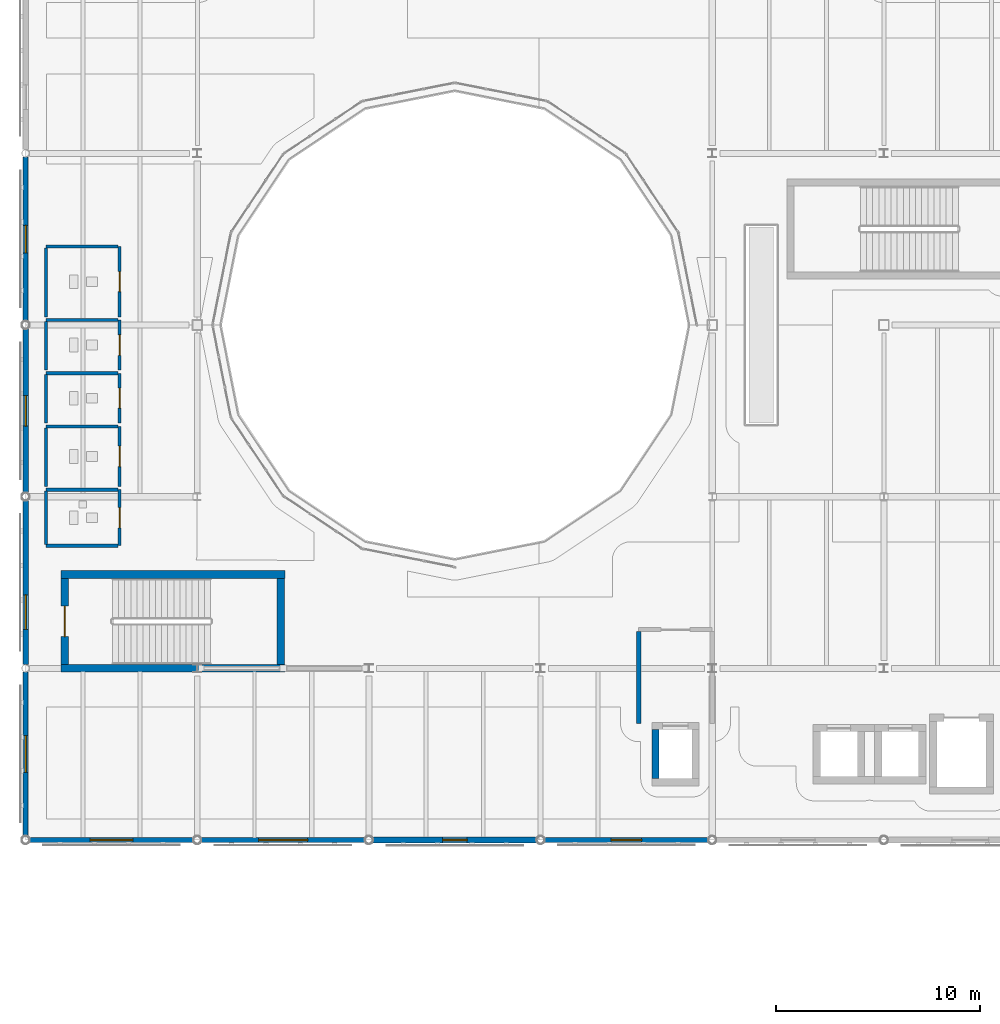
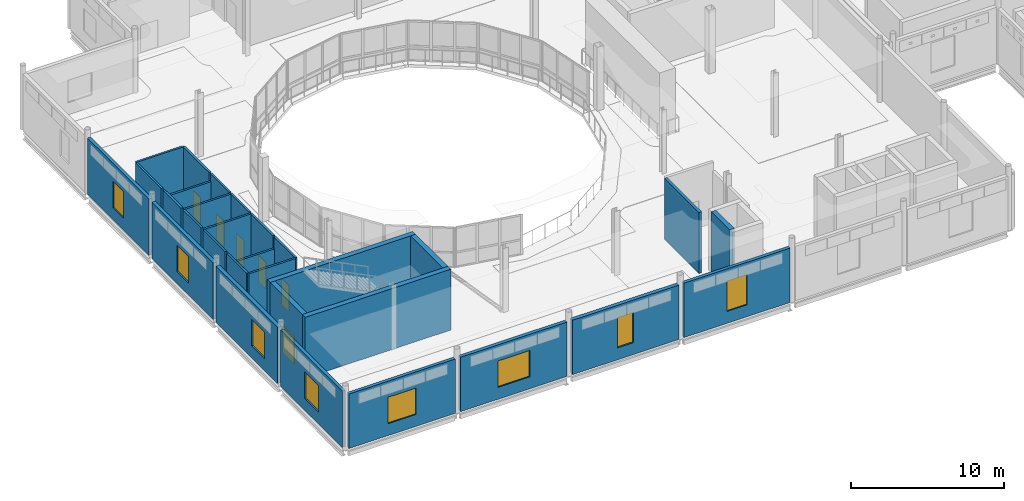
# One storey, part 65 of 104: 30 walls, 8 windows, 6 doors, 14 openings.
"""IFC4 building model written with IfcOpenShell, lengths in metres."""

from ifc_helpers import new_model, si_unit, direction, frame, frame_2d, origin, place, context, subcontext, project, spatial, rectangle, extrude, material, layer, layer_set, type_object, element, fill, save


model = new_model("IFC4")

# Units and contexts
model_context = context("Model", 3, precision=1e-05, world=origin(), true_north=direction((0.0, 1.0)))
body_context = subcontext(model_context, "Body", "Model", "MODEL_VIEW")
ifc_project = project(units=[si_unit("LENGTHUNIT", "METRE"), si_unit("AREAUNIT", "SQUARE_METRE"), si_unit("VOLUMEUNIT", "CUBIC_METRE"), si_unit("PLANEANGLEUNIT", "RADIAN"), si_unit("MASSUNIT", "GRAM", prefix="KILO"), si_unit("THERMODYNAMICTEMPERATUREUNIT", "KELVIN")], contexts=[model_context])

# Site, building, storey
site_placement = place(None, origin())
site = spatial("IfcSite", under=ifc_project, at=site_placement, CompositionType="ELEMENT")
building_placement = place(site_placement, origin())
building = spatial("IfcBuilding", under=site, at=building_placement, Name="Lustrewick Department Store", CompositionType="ELEMENT")
storey_placement = place(building_placement, frame((0.0, 0.0, 11.39990234375)))
storey = spatial("IfcBuildingStorey", under=building, at=storey_placement, Name="L03", CompositionType="ELEMENT", Elevation=11.39990234375)

# Wall, opening, window
ifc_material_1 = material(Name="Precast concrete C40", Category="concrete")
ifc_layer_1 = layer(ifc_material_1, 0.239990234375, Name="Precast concrete C40")
ifc_layer_set_1 = layer_set([ifc_layer_1], Name="Precast concrete C40")
wall_type_1 = type_object("IfcWallType", Name="EW01", PredefinedType="STANDARD", material=ifc_layer_set_1)
wall_1_placement = place(storey_placement, frame((8.39990234375, 75.41650390625, 0.0), z_axis=(0.0, 0.0, 1.0), x_axis=(0.0, -1.0, 0.0)))
wall_1 = element("IfcWall", 1, at=wall_1_placement, inside=storey, type_object=wall_type_1, Name="L03 V1 Exterior Wall EW01", PredefinedType="STANDARD", context=body_context, shape_type="SweptSolid", body=[
    extrude(rectangle(XDim=8.0185546875, YDim=0.239990234375, at=frame_2d((4.00927734375, 0.0))), origin(), (0.0, 0.0, 1.0), 4.487060546875),
])
opening_1_placement = place(wall_1_placement, frame((3.334228515625, 0.0, 0.949951171875)))
opening_1 = element("IfcOpeningElement", 2, at=opening_1_placement, cuts=wall_1, Name="Opening WN07", PredefinedType="OPENING", context=body_context, shape_type="SweptSolid", body=[
    extrude(rectangle(XDim=1.35009765625, YDim=2.10009765625, at=frame_2d((0.675048828125, 1.050048828125))), frame((0.0, 0.1298828125, 0.0), z_axis=(0.0, -1.0, 0.0), x_axis=(1.0, 0.0, 0.0)), (0.0, 0.0, 1.0), 0.260009765625),
])
ifc_material_2 = material(Name="Thermally broken Low-E triple-glazed window", Category="glass")
window_type_1 = type_object("IfcWindowType", Name="WN07", PartitioningType="DOUBLE_PANEL_VERTICAL", PredefinedType="WINDOW", material=ifc_material_2)
window_1_placement = place(opening_1_placement, origin())
window_1 = element("IfcWindow", 3, at=window_1_placement, inside=storey, type_object=window_type_1, Name="L03 Art Nouveau Window WN07", OverallHeight=2.10009765625, OverallWidth=1.35009765625, PartitioningType="SINGLE_PANEL", PredefinedType="WINDOW", context=body_context, shape_type="SweptSolid", body=[
    extrude(rectangle(XDim=1.35009765625, YDim=2.10009765625, at=frame_2d((0.675048828125, 1.050048828125))), frame((0.0, 0.030029296875, 0.0), z_axis=(0.0, -1.0, 0.0), x_axis=(1.0, 0.0, 0.0)), (0.0, 0.0, 1.0), 0.06005859375),
])
fill(opening_1, window_1)

wall_2_placement = place(storey_placement, frame((8.39990234375, 50.216552734375, 0.0), z_axis=(0.0, 0.0, 1.0), x_axis=(0.0, -1.0, 0.0)))
wall_2 = element("IfcWall", 4, at=wall_2_placement, inside=storey, type_object=wall_type_1, Name="L03 V1 Exterior Wall EW01", PredefinedType="STANDARD", context=body_context, shape_type="SweptSolid", body=[
    extrude(rectangle(XDim=8.0185546875, YDim=0.239990234375, at=frame_2d((4.00927734375, 0.0))), origin(), (0.0, 0.0, 1.0), 4.487060546875),
])
opening_2_placement = place(wall_2_placement, frame((3.109375, 0.0, 0.949951171875)))
opening_2 = element("IfcOpeningElement", 5, at=opening_2_placement, cuts=wall_2, Name="Opening WN10", PredefinedType="OPENING", context=body_context, shape_type="SweptSolid", body=[
    extrude(rectangle(XDim=1.800048828125, YDim=2.10009765625, at=frame_2d((0.89990234375, 1.050048828125))), frame((0.0, 0.1298828125, 0.0), z_axis=(0.0, -1.0, 0.0), x_axis=(1.0, 0.0, 0.0)), (0.0, 0.0, 1.0), 0.260009765625),
])
window_type_2 = type_object("IfcWindowType", Name="WN10", PartitioningType="DOUBLE_PANEL_VERTICAL", PredefinedType="WINDOW", material=ifc_material_2)
window_2_placement = place(opening_2_placement, origin())
window_2 = element("IfcWindow", 6, at=window_2_placement, inside=storey, type_object=window_type_2, Name="L03 Art Nouveau Window WN10", OverallHeight=2.10009765625, OverallWidth=1.800048828125, PartitioningType="SINGLE_PANEL", PredefinedType="WINDOW", context=body_context, shape_type="SweptSolid", body=[
    extrude(rectangle(XDim=1.800048828125, YDim=2.10009765625, at=frame_2d((0.89990234375, 1.050048828125))), frame((0.0, 0.030029296875, 0.0), z_axis=(0.0, -1.0, 0.0), x_axis=(1.0, 0.0, 0.0)), (0.0, 0.0, 1.0), 0.06005859375),
])
fill(opening_2, window_2)

wall_3_placement = place(storey_placement, frame((8.597900390625, 42.0, 0.0), z_axis=(0.0, 0.0, 1.0), x_axis=(1.0, 0.0, 0.0)))
wall_3 = element("IfcWall", 7, at=wall_3_placement, inside=storey, type_object=wall_type_1, Name="L03 V1 Exterior Wall EW01", PredefinedType="STANDARD", context=body_context, shape_type="SweptSolid", body=[
    extrude(rectangle(XDim=8.004150390625, YDim=0.239990234375, at=frame_2d((4.001953125, 0.0))), origin(), (0.0, 0.0, 1.0), 4.3310546875),
])
opening_3_placement = place(wall_3_placement, frame((2.951904296875, 0.0, 0.949951171875)))
opening_3 = element("IfcOpeningElement", 8, at=opening_3_placement, cuts=wall_3, Name="Opening WN11", PredefinedType="OPENING", context=body_context, shape_type="SweptSolid", body=[
    extrude(rectangle(XDim=2.10009765625, YDim=2.10009765625, at=frame_2d((1.050048828125, 1.050048828125))), frame((0.0, 0.1298828125, 0.0), z_axis=(0.0, -1.0, 0.0), x_axis=(1.0, 0.0, 0.0)), (0.0, 0.0, 1.0), 0.260009765625),
])
window_type_3 = type_object("IfcWindowType", Name="WN11", PartitioningType="DOUBLE_PANEL_VERTICAL", PredefinedType="WINDOW", material=ifc_material_2)
window_3_placement = place(opening_3_placement, origin())
window_3 = element("IfcWindow", 9, at=window_3_placement, inside=storey, type_object=window_type_3, Name="L03 Art Nouveau Window WN11", OverallHeight=2.10009765625, OverallWidth=2.10009765625, PartitioningType="SINGLE_PANEL", PredefinedType="WINDOW", context=body_context, shape_type="SweptSolid", body=[
    extrude(rectangle(XDim=2.10009765625, YDim=2.10009765625, at=frame_2d((1.050048828125, 1.050048828125))), frame((0.0, 0.030029296875, 0.0), z_axis=(0.0, -1.0, 0.0), x_axis=(1.0, 0.0, 0.0)), (0.0, 0.0, 1.0), 0.06005859375),
])
fill(opening_3, window_3)

wall_4_placement = place(storey_placement, frame((33.798095703125, 42.0, 0.0), z_axis=(0.0, 0.0, 1.0), x_axis=(1.0, 0.0, 0.0)))
wall_4 = element("IfcWall", 10, at=wall_4_placement, inside=storey, type_object=wall_type_1, Name="L03 V1 Exterior Wall EW01", PredefinedType="STANDARD", context=body_context, shape_type="SweptSolid", body=[
    extrude(rectangle(XDim=8.00390625, YDim=0.239990234375, at=frame_2d((4.001953125, 0.0))), origin(), (0.0, 0.0, 1.0), 4.3310546875),
])
opening_4_placement = place(wall_4_placement, frame((3.251953125, 0.0, 0.949951171875)))
opening_4 = element("IfcOpeningElement", 11, at=opening_4_placement, cuts=wall_4, Name="Opening WN14", PredefinedType="OPENING", context=body_context, shape_type="SweptSolid", body=[
    extrude(rectangle(XDim=1.5, YDim=2.39990234375, at=frame_2d((0.75, 1.199951171875))), frame((0.0, 0.1298828125, 0.0), z_axis=(0.0, -1.0, 0.0), x_axis=(1.0, 0.0, 0.0)), (0.0, 0.0, 1.0), 0.260009765625),
])
window_type_4 = type_object("IfcWindowType", Name="WN14", PartitioningType="DOUBLE_PANEL_VERTICAL", PredefinedType="WINDOW", material=ifc_material_2)
window_4_placement = place(opening_4_placement, origin())
window_4 = element("IfcWindow", 12, at=window_4_placement, inside=storey, type_object=window_type_4, Name="L03 Art Nouveau Window WN14", OverallHeight=2.39990234375, OverallWidth=1.5, PartitioningType="SINGLE_PANEL", PredefinedType="WINDOW", context=body_context, shape_type="SweptSolid", body=[
    extrude(rectangle(XDim=1.5, YDim=2.39990234375, at=frame_2d((0.75, 1.199951171875))), frame((0.0, 0.030029296875, 0.0), z_axis=(0.0, -1.0, 0.0), x_axis=(1.0, 0.0, 0.0)), (0.0, 0.0, 1.0), 0.06005859375),
])
fill(opening_4, window_4)

ifc_layer_2 = layer(ifc_material_1, 0.260009765625, Name="Precast concrete C40")
ifc_layer_set_2 = layer_set([ifc_layer_2], Name="Precast concrete C40")
wall_type_2 = type_object("IfcWallType", Name="EW02", PredefinedType="STANDARD", material=ifc_layer_set_2)
wall_5_placement = place(storey_placement, frame((8.39990234375, 67.001953125, 0.0), z_axis=(0.0, 0.0, 1.0), x_axis=(0.0, -1.0, 0.0)))
wall_5 = element("IfcWall", 13, at=wall_5_placement, inside=storey, type_object=wall_type_2, Name="L03 V1 Exterior Wall EW02", PredefinedType="STANDARD", context=body_context, shape_type="SweptSolid", body=[
    extrude(rectangle(XDim=8.00390625, YDim=0.260009765625, at=frame_2d((4.001953125, 0.0))), origin(), (0.0, 0.0, 1.0), 4.487060546875),
])
opening_5_placement = place(wall_5_placement, frame((3.251953125, 0.0, 0.949951171875)))
opening_5 = element("IfcOpeningElement", 14, at=opening_5_placement, cuts=wall_5, Name="Opening WN08", PredefinedType="OPENING", context=body_context, shape_type="SweptSolid", body=[
    extrude(rectangle(XDim=1.5, YDim=2.10009765625, at=frame_2d((0.75, 1.050048828125))), frame((0.0, 0.14013671875, 0.0), z_axis=(0.0, -1.0, 0.0), x_axis=(1.0, 0.0, 0.0)), (0.0, 0.0, 1.0), 0.280029296875),
])
window_type_5 = type_object("IfcWindowType", Name="WN08", PartitioningType="DOUBLE_PANEL_VERTICAL", PredefinedType="WINDOW", material=ifc_material_2)
window_5_placement = place(opening_5_placement, origin())
window_5 = element("IfcWindow", 15, at=window_5_placement, inside=storey, type_object=window_type_5, Name="L03 Art Nouveau Window WN08", OverallHeight=2.10009765625, OverallWidth=1.5, PartitioningType="SINGLE_PANEL", PredefinedType="WINDOW", context=body_context, shape_type="SweptSolid", body=[
    extrude(rectangle(XDim=1.5, YDim=2.10009765625, at=frame_2d((0.75, 1.050048828125))), frame((0.0, 0.030029296875, 0.0), z_axis=(0.0, -1.0, 0.0), x_axis=(1.0, 0.0, 0.0)), (0.0, 0.0, 1.0), 0.06005859375),
])
fill(opening_5, window_5)

wall_6_placement = place(storey_placement, frame((16.998046875, 42.0, 0.0), z_axis=(0.0, 0.0, 1.0), x_axis=(1.0, 0.0, 0.0)))
wall_6 = element("IfcWall", 16, at=wall_6_placement, inside=storey, type_object=wall_type_2, Name="L03 V1 Exterior Wall EW02", PredefinedType="STANDARD", context=body_context, shape_type="SweptSolid", body=[
    extrude(rectangle(XDim=8.00390625, YDim=0.260009765625, at=frame_2d((4.001953125, 0.0))), origin(), (0.0, 0.0, 1.0), 4.3310546875),
])
opening_6_placement = place(wall_6_placement, frame((2.802001953125, 0.0, 0.949951171875)))
opening_6 = element("IfcOpeningElement", 17, at=opening_6_placement, cuts=wall_6, Name="Opening WN12", PredefinedType="OPENING", context=body_context, shape_type="SweptSolid", body=[
    extrude(rectangle(XDim=2.39990234375, YDim=2.10009765625, at=frame_2d((1.199951171875, 1.050048828125))), frame((0.0, 0.14013671875, 0.0), z_axis=(0.0, -1.0, 0.0), x_axis=(1.0, 0.0, 0.0)), (0.0, 0.0, 1.0), 0.280029296875),
])
window_type_6 = type_object("IfcWindowType", Name="WN12", PartitioningType="DOUBLE_PANEL_VERTICAL", PredefinedType="WINDOW", material=ifc_material_2)
window_6_placement = place(opening_6_placement, origin())
window_6 = element("IfcWindow", 18, at=window_6_placement, inside=storey, type_object=window_type_6, Name="L03 Art Nouveau Window WN12", OverallHeight=2.10009765625, OverallWidth=2.39990234375, PartitioningType="SINGLE_PANEL", PredefinedType="WINDOW", context=body_context, shape_type="SweptSolid", body=[
    extrude(rectangle(XDim=2.39990234375, YDim=2.10009765625, at=frame_2d((1.199951171875, 1.050048828125))), frame((0.0, 0.030029296875, 0.0), z_axis=(0.0, -1.0, 0.0), x_axis=(1.0, 0.0, 0.0)), (0.0, 0.0, 1.0), 0.06005859375),
])
fill(opening_6, window_6)

ifc_layer_3 = layer(ifc_material_1, 0.280029296875, Name="Precast concrete C40")
ifc_layer_set_3 = layer_set([ifc_layer_3], Name="Precast concrete C40")
wall_type_3 = type_object("IfcWallType", Name="EW03", PredefinedType="STANDARD", material=ifc_layer_set_3)
wall_7_placement = place(storey_placement, frame((8.39990234375, 58.60205078125, 0.0), z_axis=(0.0, 0.0, 1.0), x_axis=(0.0, -1.0, 0.0)))
wall_7 = element("IfcWall", 19, at=wall_7_placement, inside=storey, type_object=wall_type_3, Name="L03 V1 Exterior Wall EW03", PredefinedType="STANDARD", context=body_context, shape_type="SweptSolid", body=[
    extrude(rectangle(XDim=8.0185546875, YDim=0.280029296875, at=frame_2d((4.00927734375, 0.0))), origin(), (0.0, 0.0, 1.0), 4.487060546875),
])
opening_7_placement = place(wall_7_placement, frame((4.612548828125, 0.0, 0.949951171875)))
opening_7 = element("IfcOpeningElement", 20, at=opening_7_placement, cuts=wall_7, Name="Opening WN09", PredefinedType="OPENING", context=body_context, shape_type="SweptSolid", body=[
    extrude(rectangle(XDim=1.679931640625, YDim=2.10009765625, at=frame_2d((0.83984375, 1.050048828125))), frame((0.0, 0.14990234375, 0.0), z_axis=(0.0, -1.0, 0.0), x_axis=(1.0, 0.0, 0.0)), (0.0, 0.0, 1.0), 0.300048828125),
])
window_type_7 = type_object("IfcWindowType", Name="WN09", PartitioningType="DOUBLE_PANEL_VERTICAL", PredefinedType="WINDOW", material=ifc_material_2)
window_7_placement = place(opening_7_placement, origin())
window_7 = element("IfcWindow", 21, at=window_7_placement, inside=storey, type_object=window_type_7, Name="L03 Art Nouveau Window WN09", OverallHeight=2.10009765625, OverallWidth=1.679931640625, PartitioningType="SINGLE_PANEL", PredefinedType="WINDOW", context=body_context, shape_type="SweptSolid", body=[
    extrude(rectangle(XDim=1.679931640625, YDim=2.10009765625, at=frame_2d((0.83984375, 1.050048828125))), frame((0.0, 0.030029296875, 0.0), z_axis=(0.0, -1.0, 0.0), x_axis=(1.0, 0.0, 0.0)), (0.0, 0.0, 1.0), 0.06005859375),
])
fill(opening_7, window_7)

wall_8_placement = place(storey_placement, frame((25.39794921875, 42.0, 0.0), z_axis=(0.0, 0.0, 1.0), x_axis=(1.0, 0.0, 0.0)))
wall_8 = element("IfcWall", 22, at=wall_8_placement, inside=storey, type_object=wall_type_3, Name="L03 V1 Exterior Wall EW03", PredefinedType="STANDARD", context=body_context, shape_type="SweptSolid", body=[
    extrude(rectangle(XDim=8.004150390625, YDim=0.280029296875, at=frame_2d((4.001953125, 0.0))), origin(), (0.0, 0.0, 1.0), 4.3310546875),
])
opening_8_placement = place(wall_8_placement, frame((3.402099609375, 0.0, 0.949951171875)))
opening_8 = element("IfcOpeningElement", 23, at=opening_8_placement, cuts=wall_8, Name="Opening WN13", PredefinedType="OPENING", context=body_context, shape_type="SweptSolid", body=[
    extrude(rectangle(XDim=1.199951171875, YDim=2.39990234375, at=frame_2d((0.60009765625, 1.199951171875))), frame((0.0, 0.14990234375, 0.0), z_axis=(0.0, -1.0, 0.0), x_axis=(1.0, 0.0, 0.0)), (0.0, 0.0, 1.0), 0.300048828125),
])
window_type_8 = type_object("IfcWindowType", Name="WN13", PartitioningType="DOUBLE_PANEL_VERTICAL", PredefinedType="WINDOW", material=ifc_material_2)
window_8_placement = place(opening_8_placement, origin())
window_8 = element("IfcWindow", 24, at=window_8_placement, inside=storey, type_object=window_type_8, Name="L03 Art Nouveau Window WN13", OverallHeight=2.39990234375, OverallWidth=1.199951171875, PartitioningType="SINGLE_PANEL", PredefinedType="WINDOW", context=body_context, shape_type="SweptSolid", body=[
    extrude(rectangle(XDim=1.199951171875, YDim=2.39990234375, at=frame_2d((0.60009765625, 1.199951171875))), frame((0.0, 0.030029296875, 0.0), z_axis=(0.0, -1.0, 0.0), x_axis=(1.0, 0.0, 0.0)), (0.0, 0.0, 1.0), 0.06005859375),
])
fill(opening_8, window_8)

# Wall
ifc_material_3 = material(Name="Autoclaved aerated concrete blockwork and fire board", Category="masonry")
ifc_layer_4 = layer(ifc_material_3, 0.205078125, Name="Autoclaved aerated concrete blockwork and fire board")
ifc_layer_set_4 = layer_set([ifc_layer_4], Name="Autoclaved aerated concrete blockwork and fire board")
wall_type_4 = type_object("IfcWallType", Name="PW02", PredefinedType="PARTITIONING", material=ifc_layer_set_4)
wall_9_placement = place(storey_placement, frame((38.39990234375, 52.202392578125, 0.0), z_axis=(0.0, 0.0, 1.0), x_axis=(0.0, -1.0, 0.0)))
element("IfcWall", 25, at=wall_9_placement, inside=storey, type_object=wall_type_4, Name="L03 Firefighting Lift Lobby FFL-01 PW02", PredefinedType="PARTITIONING", context=body_context, shape_type="SweptSolid", body=[
    extrude(rectangle(XDim=4.50244140625, YDim=0.205078125, at=frame_2d((2.251220703125, 0.0))), origin(), (0.0, 0.0, 1.0), 4.84521484375),
])

# Wall, opening, door
ifc_material_4 = material(Name="Moisture-resistant cement board sanitary partition", Category="gypsum")
ifc_layer_5 = layer(ifc_material_4, 0.14990234375, Name="Moisture-resistant cement board sanitary partition")
ifc_layer_set_5 = layer_set([ifc_layer_5], Name="Moisture-resistant cement board sanitary partition")
wall_type_5 = type_object("IfcWallType", Name="PW05", PredefinedType="PARTITIONING", material=ifc_layer_set_5)
wall_10_placement = place(storey_placement, frame((13.0, 56.39990234375, 0.0), z_axis=(0.0, 0.0, 1.0), x_axis=(0.0, 1.0, 0.0)))
wall_10 = element("IfcWall", 26, at=wall_10_placement, inside=storey, type_object=wall_type_5, Name="L03 Male Public WC PW05", PredefinedType="PARTITIONING", context=body_context, shape_type="SweptSolid", body=[
    extrude(rectangle(XDim=2.739990234375, YDim=0.14990234375, at=frame_2d((1.3701171875, 0.0))), origin(), (0.0, 0.0, 1.0), 4.84521484375),
])
opening_9_placement = place(wall_10_placement, frame((0.8701171875, 0.0, 0.0)))
opening_9 = element("IfcOpeningElement", 27, at=opening_9_placement, cuts=wall_10, Name="Opening D-L03-042", PredefinedType="OPENING", context=body_context, shape_type="SweptSolid", body=[
    extrude(rectangle(XDim=1.0, YDim=2.10009765625, at=frame_2d((0.5, 1.050048828125))), frame((0.0, 0.0849609375, 0.0), z_axis=(0.0, -1.0, 0.0), x_axis=(1.0, 0.0, 0.0)), (0.0, 0.0, 1.0), 0.169921875),
])
ifc_material_5 = material(Name="Moisture-resistant laminate sanitary door", Category="steel")
door_type_1 = type_object("IfcDoorType", Name="DT-11", OperationType="NOTDEFINED", PredefinedType="DOOR", material=ifc_material_5)
door_1_placement = place(opening_9_placement, origin())
door_1 = element("IfcDoor", 28, at=door_1_placement, inside=storey, type_object=door_type_1, Name="L03 Male Public WC Door D-L03-042", OperationType="SINGLE_SWING_RIGHT", OverallHeight=2.10009765625, OverallWidth=1.0, PredefinedType="DOOR", context=body_context, shape_type="SweptSolid", body=[
    extrude(rectangle(XDim=1.0, YDim=2.10009765625, at=frame_2d((0.5, 1.050048828125))), frame((0.0, 0.02490234375, 0.0), z_axis=(0.0, -1.0, 0.0), x_axis=(1.0, 0.0, 0.0)), (0.0, 0.0, 1.0), 0.050048828125),
])
fill(opening_9, door_1)

# Walls
wall_11_placement = place(storey_placement, frame((9.39990234375, 56.39990234375, 0.0), z_axis=(0.0, 0.0, 1.0), x_axis=(1.0, 0.0, 0.0)))
element("IfcWall", 29, at=wall_11_placement, inside=storey, type_object=wall_type_5, Name="L03 Male Public WC PW05", PredefinedType="PARTITIONING", context=body_context, shape_type="SweptSolid", body=[
    extrude(rectangle(XDim=3.530029296875, YDim=0.14990234375, at=frame_2d((1.76513671875, 0.0))), origin(), (0.0, 0.0, 1.0), 4.84521484375),
])
wall_12_placement = place(storey_placement, frame((12.929931640625, 59.139892578125, 0.0), z_axis=(0.0, 0.0, 1.0), x_axis=(-1.0, 0.0, 0.0)))
element("IfcWall", 30, at=wall_12_placement, inside=storey, type_object=wall_type_5, Name="L03 Male Public WC PW05", PredefinedType="PARTITIONING", context=body_context, shape_type="SweptSolid", body=[
    extrude(rectangle(XDim=3.530029296875, YDim=0.14990234375, at=frame_2d((1.76513671875, 0.0))), origin(), (0.0, 0.0, 1.0), 3.947021484375),
])
wall_13_placement = place(storey_placement, frame((9.39990234375, 59.070068359375, 0.0), z_axis=(0.0, 0.0, 1.0), x_axis=(0.0, -1.0, 0.0)))
element("IfcWall", 31, at=wall_13_placement, inside=storey, type_object=wall_type_5, Name="L03 Male Public WC PW05", PredefinedType="PARTITIONING", context=body_context, shape_type="SweptSolid", body=[
    extrude(rectangle(XDim=2.60009765625, YDim=0.14990234375, at=frame_2d((1.300048828125, 0.0))), origin(), (0.0, 0.0, 1.0), 4.84521484375),
])

# Wall, opening, door
wall_14_placement = place(storey_placement, frame((13.0, 59.300048828125, 0.0), z_axis=(0.0, 0.0, 1.0), x_axis=(0.0, 1.0, 0.0)))
wall_14 = element("IfcWall", 32, at=wall_14_placement, inside=storey, type_object=wall_type_5, Name="L03 Female Public WC PW05", PredefinedType="PARTITIONING", context=body_context, shape_type="SweptSolid", body=[
    extrude(rectangle(XDim=2.93994140625, YDim=0.14990234375, at=frame_2d((1.469970703125, 0.0))), origin(), (0.0, 0.0, 1.0), 4.84521484375),
])
opening_10_placement = place(wall_14_placement, frame((0.969970703125, 0.0, 0.0)))
opening_10 = element("IfcOpeningElement", 33, at=opening_10_placement, cuts=wall_14, Name="Opening D-L03-043", PredefinedType="OPENING", context=body_context, shape_type="SweptSolid", body=[
    extrude(rectangle(XDim=1.0, YDim=2.10009765625, at=frame_2d((0.5, 1.050048828125))), frame((0.0, 0.0849609375, 0.0), z_axis=(0.0, -1.0, 0.0), x_axis=(1.0, 0.0, 0.0)), (0.0, 0.0, 1.0), 0.169921875),
])
door_2_placement = place(opening_10_placement, origin())
door_2 = element("IfcDoor", 34, at=door_2_placement, inside=storey, type_object=door_type_1, Name="L03 Female Public WC Door D-L03-043", OperationType="SINGLE_SWING_LEFT", OverallHeight=2.10009765625, OverallWidth=1.0, PredefinedType="DOOR", context=body_context, shape_type="SweptSolid", body=[
    extrude(rectangle(XDim=1.0, YDim=2.10009765625, at=frame_2d((0.5, 1.050048828125))), frame((0.0, 0.02490234375, 0.0), z_axis=(0.0, -1.0, 0.0), x_axis=(1.0, 0.0, 0.0)), (0.0, 0.0, 1.0), 0.050048828125),
])
fill(opening_10, door_2)

# Walls
wall_15_placement = place(storey_placement, frame((12.929931640625, 62.239990234375, 0.0), z_axis=(0.0, 0.0, 1.0), x_axis=(-1.0, 0.0, 0.0)))
element("IfcWall", 35, at=wall_15_placement, inside=storey, type_object=wall_type_5, Name="L03 Female Public WC PW05", PredefinedType="PARTITIONING", context=body_context, shape_type="SweptSolid", body=[
    extrude(rectangle(XDim=3.530029296875, YDim=0.14990234375, at=frame_2d((1.76513671875, 0.0))), origin(), (0.0, 0.0, 1.0), 4.84521484375),
])
wall_16_placement = place(storey_placement, frame((9.39990234375, 62.169921875, 0.0), z_axis=(0.0, 0.0, 1.0), x_axis=(0.0, -1.0, 0.0)))
element("IfcWall", 36, at=wall_16_placement, inside=storey, type_object=wall_type_5, Name="L03 Female Public WC PW05", PredefinedType="PARTITIONING", context=body_context, shape_type="SweptSolid", body=[
    extrude(rectangle(XDim=2.869873046875, YDim=0.14990234375, at=frame_2d((1.43505859375, 0.0))), origin(), (0.0, 0.0, 1.0), 4.84521484375),
])

# Wall, opening, door
wall_17_placement = place(storey_placement, frame((13.0, 62.39990234375, 0.0), z_axis=(0.0, 0.0, 1.0), x_axis=(0.0, 1.0, 0.0)))
wall_17 = element("IfcWall", 37, at=wall_17_placement, inside=storey, type_object=wall_type_5, Name="L03 Accessible WC PW05", PredefinedType="PARTITIONING", context=body_context, shape_type="SweptSolid", body=[
    extrude(rectangle(XDim=2.440185546875, YDim=0.14990234375, at=frame_2d((1.22021484375, 0.0))), origin(), (0.0, 0.0, 1.0), 4.84521484375),
])
opening_11_placement = place(wall_17_placement, frame((0.72998046875, 0.0, 0.0)))
opening_11 = element("IfcOpeningElement", 38, at=opening_11_placement, cuts=wall_17, Name="Opening D-L03-044", PredefinedType="OPENING", context=body_context, shape_type="SweptSolid", body=[
    extrude(rectangle(XDim=0.97998046875, YDim=2.10009765625, at=frame_2d((0.489990234375, 1.050048828125))), frame((0.0, 0.0849609375, 0.0), z_axis=(0.0, -1.0, 0.0), x_axis=(1.0, 0.0, 0.0)), (0.0, 0.0, 1.0), 0.169921875),
])
ifc_material_6 = material(Name="Barrier-free accessible sanitary door", Category="steel")
door_type_2 = type_object("IfcDoorType", Name="DT-12", OperationType="NOTDEFINED", PredefinedType="DOOR", material=ifc_material_6)
door_3_placement = place(opening_11_placement, origin())
door_3 = element("IfcDoor", 39, at=door_3_placement, inside=storey, type_object=door_type_2, Name="L03 Accessible WC Door D-L03-044", OperationType="SINGLE_SWING_RIGHT", OverallHeight=2.10009765625, OverallWidth=0.97998046875, PredefinedType="DOOR", context=body_context, shape_type="SweptSolid", body=[
    extrude(rectangle(XDim=0.97998046875, YDim=2.10009765625, at=frame_2d((0.489990234375, 1.050048828125))), frame((0.0, 0.02490234375, 0.0), z_axis=(0.0, -1.0, 0.0), x_axis=(1.0, 0.0, 0.0)), (0.0, 0.0, 1.0), 0.050048828125),
])
fill(opening_11, door_3)

# Walls
wall_18_placement = place(storey_placement, frame((12.929931640625, 64.840087890625, 0.0), z_axis=(0.0, 0.0, 1.0), x_axis=(-1.0, 0.0, 0.0)))
element("IfcWall", 40, at=wall_18_placement, inside=storey, type_object=wall_type_5, Name="L03 Accessible WC PW05", PredefinedType="PARTITIONING", context=body_context, shape_type="SweptSolid", body=[
    extrude(rectangle(XDim=3.530029296875, YDim=0.14990234375, at=frame_2d((1.76513671875, 0.0))), origin(), (0.0, 0.0, 1.0), 4.84521484375),
])
wall_19_placement = place(storey_placement, frame((9.39990234375, 64.77001953125, 0.0), z_axis=(0.0, 0.0, 1.0), x_axis=(0.0, -1.0, 0.0)))
element("IfcWall", 41, at=wall_19_placement, inside=storey, type_object=wall_type_5, Name="L03 Accessible WC PW05", PredefinedType="PARTITIONING", context=body_context, shape_type="SweptSolid", body=[
    extrude(rectangle(XDim=2.3701171875, YDim=0.14990234375, at=frame_2d((1.18505859375, 0.0))), origin(), (0.0, 0.0, 1.0), 4.84521484375),
])

# Wall, opening, door
wall_20_placement = place(storey_placement, frame((13.0, 65.0, 0.0), z_axis=(0.0, 0.0, 1.0), x_axis=(0.0, 1.0, 0.0)))
wall_20 = element("IfcWall", 42, at=wall_20_placement, inside=storey, type_object=wall_type_5, Name="L03 Staff WC PW05", PredefinedType="PARTITIONING", context=body_context, shape_type="SweptSolid", body=[
    extrude(rectangle(XDim=2.43994140625, YDim=0.14990234375, at=frame_2d((1.219970703125, 0.0))), origin(), (0.0, 0.0, 1.0), 4.84521484375),
])
opening_12_placement = place(wall_20_placement, frame((0.719970703125, 0.0, 0.0)))
opening_12 = element("IfcOpeningElement", 43, at=opening_12_placement, cuts=wall_20, Name="Opening D-L03-045", PredefinedType="OPENING", context=body_context, shape_type="SweptSolid", body=[
    extrude(rectangle(XDim=1.0, YDim=2.10009765625, at=frame_2d((0.5, 1.050048828125))), frame((0.0, 0.0849609375, 0.0), z_axis=(0.0, -1.0, 0.0), x_axis=(1.0, 0.0, 0.0)), (0.0, 0.0, 1.0), 0.169921875),
])
door_4_placement = place(opening_12_placement, origin())
door_4 = element("IfcDoor", 44, at=door_4_placement, inside=storey, type_object=door_type_1, Name="L03 Staff WC Door D-L03-045", OperationType="SINGLE_SWING_LEFT", OverallHeight=2.10009765625, OverallWidth=1.0, PredefinedType="DOOR", context=body_context, shape_type="SweptSolid", body=[
    extrude(rectangle(XDim=1.0, YDim=2.10009765625, at=frame_2d((0.5, 1.050048828125))), frame((0.0, 0.02490234375, 0.0), z_axis=(0.0, -1.0, 0.0), x_axis=(1.0, 0.0, 0.0)), (0.0, 0.0, 1.0), 0.050048828125),
])
fill(opening_12, door_4)

# Walls
wall_21_placement = place(storey_placement, frame((12.929931640625, 67.43994140625, 0.0), z_axis=(0.0, 0.0, 1.0), x_axis=(-1.0, 0.0, 0.0)))
element("IfcWall", 45, at=wall_21_placement, inside=storey, type_object=wall_type_5, Name="L03 Staff WC PW05", PredefinedType="PARTITIONING", context=body_context, shape_type="SweptSolid", body=[
    extrude(rectangle(XDim=3.530029296875, YDim=0.14990234375, at=frame_2d((1.76513671875, 0.0))), origin(), (0.0, 0.0, 1.0), 4.255126953125),
])
wall_22_placement = place(storey_placement, frame((9.39990234375, 67.3701171875, 0.0), z_axis=(0.0, 0.0, 1.0), x_axis=(0.0, -1.0, 0.0)))
element("IfcWall", 46, at=wall_22_placement, inside=storey, type_object=wall_type_5, Name="L03 Staff WC PW05", PredefinedType="PARTITIONING", context=body_context, shape_type="SweptSolid", body=[
    extrude(rectangle(XDim=2.3701171875, YDim=0.14990234375, at=frame_2d((1.18505859375, 0.0))), origin(), (0.0, 0.0, 1.0), 4.84521484375),
])

# Wall, opening, door
wall_23_placement = place(storey_placement, frame((13.0, 67.60009765625, 0.0), z_axis=(0.0, 0.0, 1.0), x_axis=(0.0, 1.0, 0.0)))
wall_23 = element("IfcWall", 47, at=wall_23_placement, inside=storey, type_object=wall_type_5, Name="L03 Nursery Room PW05", PredefinedType="PARTITIONING", context=body_context, shape_type="SweptSolid", body=[
    extrude(rectangle(XDim=3.43994140625, YDim=0.14990234375, at=frame_2d((1.719970703125, 0.0))), origin(), (0.0, 0.0, 1.0), 4.84521484375),
])
opening_13_placement = place(wall_23_placement, frame((1.22998046875, 0.0, 0.0)))
opening_13 = element("IfcOpeningElement", 48, at=opening_13_placement, cuts=wall_23, Name="Opening D-L03-046", PredefinedType="OPENING", context=body_context, shape_type="SweptSolid", body=[
    extrude(rectangle(XDim=0.97998046875, YDim=2.10009765625, at=frame_2d((0.489990234375, 1.050048828125))), frame((0.0, 0.0849609375, 0.0), z_axis=(0.0, -1.0, 0.0), x_axis=(1.0, 0.0, 0.0)), (0.0, 0.0, 1.0), 0.169921875),
])
door_5_placement = place(opening_13_placement, origin())
door_5 = element("IfcDoor", 49, at=door_5_placement, inside=storey, type_object=door_type_2, Name="L03 Nursery Room Door D-L03-046", OperationType="SINGLE_SWING_RIGHT", OverallHeight=2.10009765625, OverallWidth=0.97998046875, PredefinedType="DOOR", context=body_context, shape_type="SweptSolid", body=[
    extrude(rectangle(XDim=0.97998046875, YDim=2.10009765625, at=frame_2d((0.489990234375, 1.050048828125))), frame((0.0, 0.02490234375, 0.0), z_axis=(0.0, -1.0, 0.0), x_axis=(1.0, 0.0, 0.0)), (0.0, 0.0, 1.0), 0.050048828125),
])
fill(opening_13, door_5)

# Walls
wall_24_placement = place(storey_placement, frame((12.929931640625, 71.0400390625, 0.0), z_axis=(0.0, 0.0, 1.0), x_axis=(-1.0, 0.0, 0.0)))
element("IfcWall", 50, at=wall_24_placement, inside=storey, type_object=wall_type_5, Name="L03 Nursery Room PW05", PredefinedType="PARTITIONING", context=body_context, shape_type="SweptSolid", body=[
    extrude(rectangle(XDim=3.530029296875, YDim=0.14990234375, at=frame_2d((1.76513671875, 0.0))), origin(), (0.0, 0.0, 1.0), 4.84521484375),
])
wall_25_placement = place(storey_placement, frame((9.39990234375, 70.969970703125, 0.0), z_axis=(0.0, 0.0, 1.0), x_axis=(0.0, -1.0, 0.0)))
element("IfcWall", 51, at=wall_25_placement, inside=storey, type_object=wall_type_5, Name="L03 Nursery Room PW05", PredefinedType="PARTITIONING", context=body_context, shape_type="SweptSolid", body=[
    extrude(rectangle(XDim=3.369873046875, YDim=0.14990234375, at=frame_2d((1.68505859375, 0.0))), origin(), (0.0, 0.0, 1.0), 4.84521484375),
])
ifc_material_7 = material(Name="Concrete C40", Category="concrete")
ifc_layer_6 = layer(ifc_material_7, 0.3798828125, Name="Concrete C40")
ifc_layer_set_6 = layer_set([ifc_layer_6], Name="Concrete C40")
wall_type_6 = type_object("IfcWallType", Name="SW03", PredefinedType="SHEAR", material=ifc_layer_set_6)
wall_26_placement = place(storey_placement, frame((10.1201171875, 50.409912109375, 0.0), z_axis=(0.0, 0.0, 1.0), x_axis=(1.0, 0.0, 0.0)))
element("IfcWall", 52, at=wall_26_placement, inside=storey, type_object=wall_type_6, Name="L03 Stair Core ST01 Shear Wall S", PredefinedType="SHEAR", context=body_context, shape_type="SweptSolid", body=[
    extrude(rectangle(XDim=10.9599609375, YDim=0.3798828125, at=frame_2d((5.47998046875, 0.0))), origin(), (0.0, 0.0, 1.0), 4.84521484375),
])
wall_27_placement = place(storey_placement, frame((20.889892578125, 50.60009765625, 0.0), z_axis=(0.0, 0.0, 1.0), x_axis=(0.0, 1.0, 0.0)))
element("IfcWall", 53, at=wall_27_placement, inside=storey, type_object=wall_type_6, Name="L03 Stair Core ST01 Shear Wall E", PredefinedType="SHEAR", context=body_context, shape_type="SweptSolid", body=[
    extrude(rectangle(XDim=4.199951171875, YDim=0.3798828125, at=frame_2d((2.10009765625, 0.0))), origin(), (0.0, 0.0, 1.0), 4.84521484375),
])
wall_28_placement = place(storey_placement, frame((21.080078125, 54.989990234375, 0.0), z_axis=(0.0, 0.0, 1.0), x_axis=(-1.0, 0.0, 0.0)))
element("IfcWall", 54, at=wall_28_placement, inside=storey, type_object=wall_type_6, Name="L03 Stair Core ST01 Shear Wall N", PredefinedType="SHEAR", context=body_context, shape_type="SweptSolid", body=[
    extrude(rectangle(XDim=10.9599609375, YDim=0.3798828125, at=frame_2d((5.47998046875, 0.0))), origin(), (0.0, 0.0, 1.0), 4.84521484375),
])

# Wall, opening, door
wall_29_placement = place(storey_placement, frame((10.31005859375, 54.800048828125, 0.0), z_axis=(0.0, 0.0, 1.0), x_axis=(0.0, -1.0, 0.0)))
wall_29 = element("IfcWall", 55, at=wall_29_placement, inside=storey, type_object=wall_type_6, Name="L03 Stair Core ST01 Shear Wall W", PredefinedType="SHEAR", context=body_context, shape_type="SweptSolid", body=[
    extrude(rectangle(XDim=4.199951171875, YDim=0.3798828125, at=frame_2d((2.10009765625, 0.0))), origin(), (0.0, 0.0, 1.0), 4.84521484375),
])
opening_14_placement = place(wall_29_placement, frame((1.35009765625, 0.0, 0.0)))
opening_14 = element("IfcOpeningElement", 56, at=opening_14_placement, cuts=wall_29, Name="Opening D-L03-001", PredefinedType="OPENING", context=body_context, shape_type="SweptSolid", body=[
    extrude(rectangle(XDim=1.5, YDim=2.14990234375, at=frame_2d((0.75, 1.074951171875))), frame((0.0, 0.199951171875, 0.0), z_axis=(0.0, -1.0, 0.0), x_axis=(1.0, 0.0, 0.0)), (0.0, 0.0, 1.0), 0.39990234375),
])
ifc_material_8 = material(Name="Steel fire door Class B EI 60", Category="steel")
door_type_3 = type_object("IfcDoorType", Name="DT-07", OperationType="NOTDEFINED", PredefinedType="DOOR", material=ifc_material_8)
door_6_placement = place(opening_14_placement, origin())
door_6 = element("IfcDoor", 57, at=door_6_placement, inside=storey, type_object=door_type_3, Name="L03 Smoke-Proof Stair ST01 Fire Door", OperationType="SINGLE_SWING_LEFT", OverallHeight=2.14990234375, OverallWidth=1.5, PredefinedType="DOOR", context=body_context, shape_type="SweptSolid", body=[
    extrude(rectangle(XDim=1.5, YDim=2.14990234375, at=frame_2d((0.75, 1.074951171875))), frame((0.0, 0.02490234375, 0.0), z_axis=(0.0, -1.0, 0.0), x_axis=(1.0, 0.0, 0.0)), (0.0, 0.0, 1.0), 0.050048828125),
])
fill(opening_14, door_6)

# Wall
ifc_layer_7 = layer(ifc_material_7, 0.360107421875, Name="Concrete C40")
ifc_layer_set_7 = layer_set([ifc_layer_7], Name="Concrete C40")
wall_type_7 = type_object("IfcWallType", Name="SW04", PredefinedType="SHEAR", material=ifc_layer_set_7)
wall_30_placement = place(storey_placement, frame((39.219970703125, 47.39990234375, 0.0), z_axis=(0.0, 0.0, 1.0), x_axis=(0.0, -1.0, 0.0)))
element("IfcWall", 58, at=wall_30_placement, inside=storey, type_object=wall_type_7, Name="L03 Lift FFL-01 Shaft Wall -X", PredefinedType="SHEAR", context=body_context, shape_type="SweptSolid", body=[
    extrude(rectangle(XDim=2.39990234375, YDim=0.360107421875, at=frame_2d((1.199951171875, 0.0))), origin(), (0.0, 0.0, 1.0), 4.84521484375),
])

save(model, "model.ifc")
